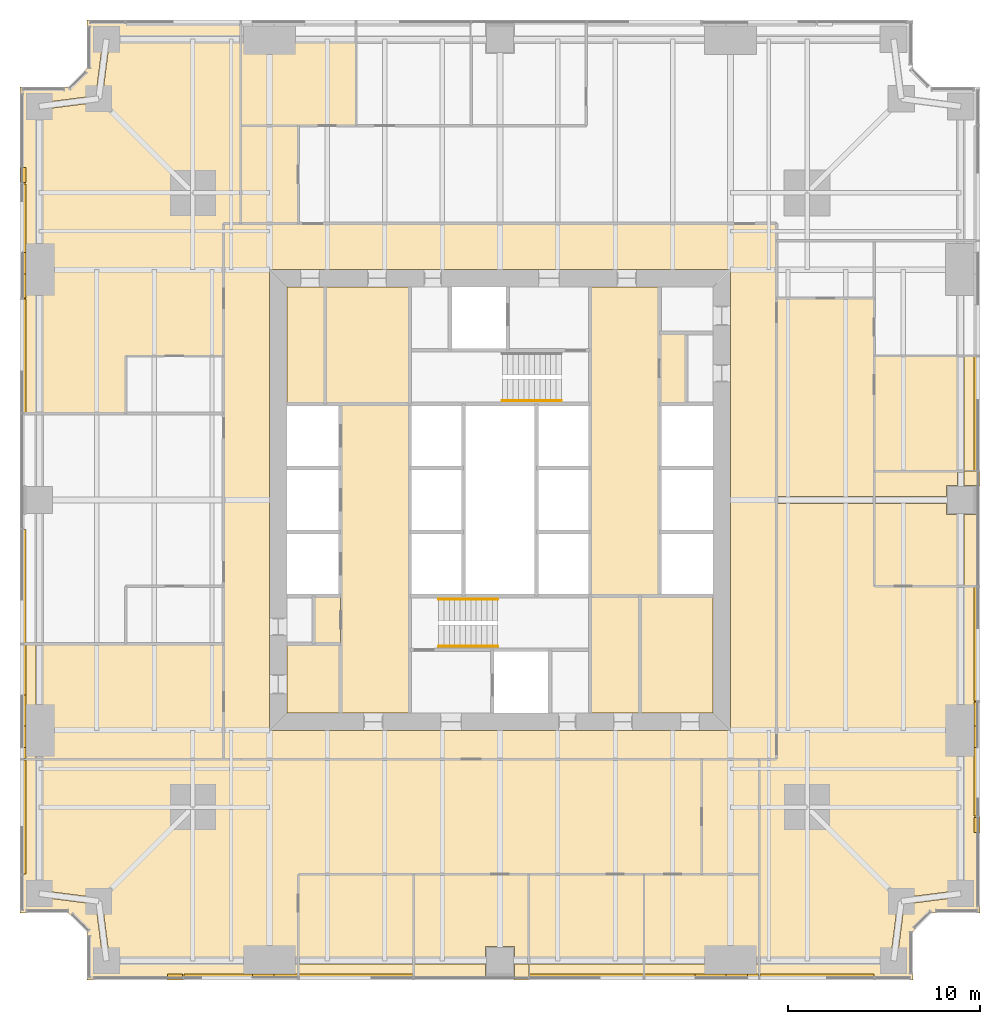
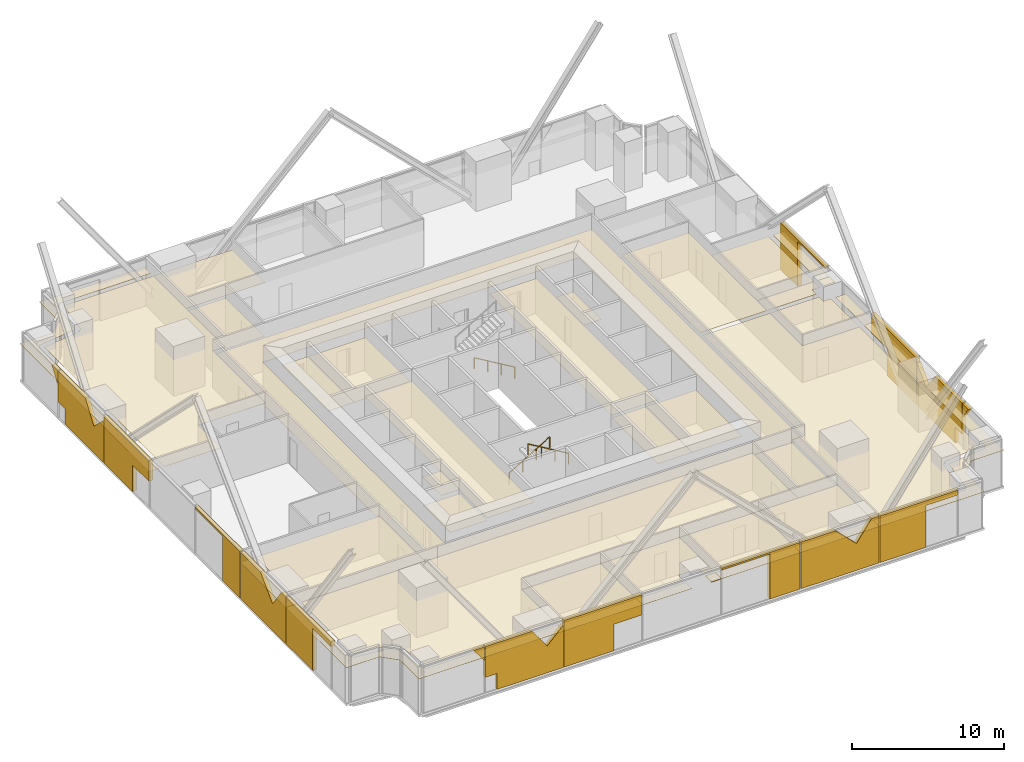
# One storey, part 13 of 14: 53 coverings, 3 railings.
"""IFC4 building model written with IfcOpenShell, lengths in metres."""

from ifc_helpers import new_model, si_unit, direction, frame, origin, origin_2d, place, context, subcontext, project, spatial, polyline, circle, outline, extrude, material, layer, layer_set, type_object, element, save


model = new_model("IFC4")

# Units and contexts
model_context = context("Model", 3, precision=1e-05, world=origin(), true_north=direction((0.0, 1.0)))
body_context = subcontext(model_context, "Body", "Model", "MODEL_VIEW")
ifc_project = project(units=[si_unit("LENGTHUNIT", "METRE"), si_unit("AREAUNIT", "SQUARE_METRE"), si_unit("VOLUMEUNIT", "CUBIC_METRE"), si_unit("PLANEANGLEUNIT", "RADIAN"), si_unit("MASSUNIT", "GRAM", prefix="KILO")], contexts=[model_context])

# Site, building, storey
site_placement = place(None, origin())
site = spatial("IfcSite", under=ifc_project, at=site_placement, CompositionType="ELEMENT")
building_placement = place(site_placement, origin())
building = spatial("IfcBuilding", under=site, at=building_placement, Name="Fenwick Lantern Interchange", CompositionType="ELEMENT")
storey_placement = place(building_placement, frame((0.0, 0.0, 79.0)))
storey = spatial("IfcBuildingStorey", under=building, at=storey_placement, Name="L18", CompositionType="ELEMENT", Elevation=79.0)

# Coverings
ifc_material_1 = material(Name="Mineral fibre acoustic tile on suspended grid")
ifc_layer_1 = layer(ifc_material_1, 0.02001953125)
ifc_layer_set_1 = layer_set([ifc_layer_1], Name="ACOUSTIC TILE CEILING 20")
covering_type_1 = type_object("IfcCoveringType", Name="ACOUSTIC TILE CEILING 20", PredefinedType="CEILING", material=ifc_layer_set_1)
covering_1_placement = place(storey_placement, frame((0.0, 0.0, 2.89990234375)))
element("IfcCovering", 1, at=covering_1_placement, inside=storey, type_object=covering_type_1, Name="Office supplies store ceiling", PredefinedType="CEILING", context=body_context, shape_type="SweptSolid", body=[
    extrude(outline(polyline([(15.300048828125, 17.5), (16.699951171875, 17.5), (16.699951171875, 20.0), (15.300048828125, 20.0), (15.300048828125, 17.5)])), origin(), (0.0, 0.0, 1.0), 0.02001953125),
])
covering_2_placement = place(storey_placement, frame((0.0, 0.0, 2.89990234375)))
element("IfcCovering", 2, at=covering_2_placement, inside=storey, type_object=covering_type_1, Name="Office suite ceiling", PredefinedType="CEILING", context=body_context, shape_type="SweptSolid", body=[
    extrude(outline(polyline([(35.5, 11.5), (1.17236328125, 11.5), (1.17236328125, 4.651611328125), (4.1220703125, 4.27099609375), (4.10009765625, 4.10009765625), (4.27099609375, 4.1220703125), (4.651611328125, 1.17236328125), (13.0, 1.17236328125), (14.5, 1.17236328125), (14.5, 5.5), (35.5, 5.5), (35.5, 11.5)])), origin(), (0.0, 0.0, 1.0), 0.02001953125),
])
covering_3_placement = place(storey_placement, frame((0.0, 0.0, 2.89990234375)))
element("IfcCovering", 3, at=covering_3_placement, inside=storey, type_object=covering_type_1, Name="Office suite ceiling", PredefinedType="CEILING", context=body_context, shape_type="SweptSolid", body=[
    extrude(outline(polyline([(0.0, 11.5), (0.0, 3.5), (2.5, 3.5), (3.5, 2.5), (3.5, 0.0), (14.5, 0.0), (14.5, 0.82763671875), (13.0, 0.82763671875), (4.5, 0.82763671875), (4.5, 1.0), (4.3291015625, 0.97802734375), (3.946044921875, 3.946044921875), (0.97802734375, 4.3291015625), (1.0, 4.5), (0.82763671875, 4.5), (0.82763671875, 11.5), (0.0, 11.5)])), origin(), (0.0, 0.0, 1.0), 0.02001953125),
])
covering_4_placement = place(storey_placement, frame((0.0, 0.0, 2.89990234375)))
element("IfcCovering", 4, at=covering_4_placement, inside=storey, type_object=covering_type_1, Name="Office ceiling", PredefinedType="CEILING", context=body_context, shape_type="SweptSolid", body=[
    extrude(outline(polyline([(14.5, 5.5), (14.5, 1.17236328125), (20.5, 1.17236328125), (20.5, 5.5), (14.5, 5.5)])), origin(), (0.0, 0.0, 1.0), 0.02001953125),
])
covering_5_placement = place(storey_placement, frame((0.0, 0.0, 2.89990234375)))
element("IfcCovering", 5, at=covering_5_placement, inside=storey, type_object=covering_type_1, Name="Office ceiling", PredefinedType="CEILING", context=body_context, shape_type="SweptSolid", body=[
    extrude(outline(polyline([(20.5, 0.0), (20.5, 0.82763671875), (14.5, 0.82763671875), (14.5, 0.0), (20.5, 0.0)])), origin(), (0.0, 0.0, 1.0), 0.02001953125),
])
covering_6_placement = place(storey_placement, frame((0.0, 0.0, 2.89990234375)))
element("IfcCovering", 6, at=covering_6_placement, inside=storey, type_object=covering_type_1, Name="Office ceiling", PredefinedType="CEILING", context=body_context, shape_type="SweptSolid", body=[
    extrude(outline(polyline([(20.5, 5.5), (20.5, 1.17236328125), (24.25, 1.17236328125), (24.25, 1.75), (25.75, 1.75), (25.75, 1.17236328125), (26.5, 1.17236328125), (26.5, 5.5), (20.5, 5.5)])), origin(), (0.0, 0.0, 1.0), 0.02001953125),
])
covering_7_placement = place(storey_placement, frame((0.0, 0.0, 2.89990234375)))
element("IfcCovering", 7, at=covering_7_placement, inside=storey, type_object=covering_type_1, Name="Office ceiling", PredefinedType="CEILING", context=body_context, shape_type="SweptSolid", body=[
    extrude(outline(polyline([(20.5, 0.82763671875), (20.5, 0.0), (24.25, 0.0), (24.25, 0.82763671875), (20.5, 0.82763671875)])), origin(), (0.0, 0.0, 1.0), 0.02001953125),
])
covering_8_placement = place(storey_placement, frame((0.0, 0.0, 2.89990234375)))
element("IfcCovering", 8, at=covering_8_placement, inside=storey, type_object=covering_type_1, Name="Office ceiling", PredefinedType="CEILING", context=body_context, shape_type="SweptSolid", body=[
    extrude(outline(polyline([(26.5, 0.0), (26.5, 0.82763671875), (25.75, 0.82763671875), (25.75, 0.0), (26.5, 0.0)])), origin(), (0.0, 0.0, 1.0), 0.02001953125),
])
covering_9_placement = place(storey_placement, frame((0.0, 0.0, 2.89990234375)))
element("IfcCovering", 9, at=covering_9_placement, inside=storey, type_object=covering_type_1, Name="Office ceiling", PredefinedType="CEILING", context=body_context, shape_type="SweptSolid", body=[
    extrude(outline(polyline([(26.5, 5.5), (26.5, 1.17236328125), (32.5, 1.17236328125), (32.5, 5.5), (26.5, 5.5)])), origin(), (0.0, 0.0, 1.0), 0.02001953125),
])
covering_10_placement = place(storey_placement, frame((0.0, 0.0, 2.89990234375)))
element("IfcCovering", 10, at=covering_10_placement, inside=storey, type_object=covering_type_1, Name="Office ceiling", PredefinedType="CEILING", context=body_context, shape_type="SweptSolid", body=[
    extrude(outline(polyline([(32.5, 0.0), (32.5, 0.82763671875), (26.5, 0.82763671875), (26.5, 0.0), (32.5, 0.0)])), origin(), (0.0, 0.0, 1.0), 0.02001953125),
])
covering_11_placement = place(storey_placement, frame((0.0, 0.0, 2.89990234375)))
element("IfcCovering", 11, at=covering_11_placement, inside=storey, type_object=covering_type_1, Name="Office ceiling", PredefinedType="CEILING", context=body_context, shape_type="SweptSolid", body=[
    extrude(outline(polyline([(32.5, 5.5), (32.5, 1.17236328125), (37.0, 1.17236328125), (38.5, 1.17236328125), (38.5, 5.5), (32.5, 5.5)])), origin(), (0.0, 0.0, 1.0), 0.02001953125),
])
covering_12_placement = place(storey_placement, frame((0.0, 0.0, 2.89990234375)))
element("IfcCovering", 12, at=covering_12_placement, inside=storey, type_object=covering_type_1, Name="Office ceiling", PredefinedType="CEILING", context=body_context, shape_type="SweptSolid", body=[
    extrude(outline(polyline([(38.5, 0.0), (38.5, 0.82763671875), (37.0, 0.82763671875), (32.5, 0.82763671875), (32.5, 0.0), (38.5, 0.0)])), origin(), (0.0, 0.0, 1.0), 0.02001953125),
])
covering_13_placement = place(storey_placement, frame((0.0, 0.0, 2.89990234375)))
element("IfcCovering", 13, at=covering_13_placement, inside=storey, type_object=covering_type_1, Name="Office suite ceiling", PredefinedType="CEILING", context=body_context, shape_type="SweptSolid", body=[
    extrude(outline(polyline([(38.5, 11.5), (38.5, 1.17236328125), (45.348388671875, 1.17236328125), (45.72900390625, 4.1220703125), (45.89990234375, 4.10009765625), (45.8779296875, 4.27099609375), (48.82763671875, 4.651611328125), (48.82763671875, 13.0), (48.82763671875, 20.5), (44.5, 20.5), (44.5, 24.824951171875), (39.39990234375, 24.824951171875), (39.39990234375, 11.5), (38.5, 11.5)])), origin(), (0.0, 0.0, 1.0), 0.02001953125),
])
covering_14_placement = place(storey_placement, frame((0.0, 0.0, 2.89990234375)))
element("IfcCovering", 14, at=covering_14_placement, inside=storey, type_object=covering_type_1, Name="Office suite ceiling", PredefinedType="CEILING", context=body_context, shape_type="SweptSolid", body=[
    extrude(outline(polyline([(39.39990234375, 35.5), (39.39990234375, 25.175048828125), (44.5, 25.175048828125), (44.5, 35.5), (39.39990234375, 35.5)])), origin(), (0.0, 0.0, 1.0), 0.02001953125),
])
covering_15_placement = place(storey_placement, frame((0.0, 0.0, 2.89990234375)))
element("IfcCovering", 15, at=covering_15_placement, inside=storey, type_object=covering_type_1, Name="Office suite ceiling", PredefinedType="CEILING", context=body_context, shape_type="SweptSolid", body=[
    extrude(outline(polyline([(50.0, 3.5), (50.0, 20.5), (49.17236328125, 20.5), (49.17236328125, 13.0), (49.17236328125, 4.5), (49.0, 4.5), (49.02197265625, 4.3291015625), (46.053955078125, 3.946044921875), (45.6708984375, 0.97802734375), (45.5, 1.0), (45.5, 0.82763671875), (38.5, 0.82763671875), (38.5, 0.0), (46.5, 0.0), (46.5, 2.5), (47.5, 3.5), (50.0, 3.5)])), origin(), (0.0, 0.0, 1.0), 0.02001953125),
])
covering_16_placement = place(storey_placement, frame((0.0, 0.0, 2.89990234375)))
element("IfcCovering", 16, at=covering_16_placement, inside=storey, type_object=covering_type_1, Name="Office ceiling", PredefinedType="CEILING", context=body_context, shape_type="SweptSolid", body=[
    extrude(outline(polyline([(44.5, 20.5), (48.82763671875, 20.5), (48.82763671875, 24.25), (48.25, 24.25), (48.25, 24.824951171875), (44.5, 24.824951171875), (44.5, 20.5)])), origin(), (0.0, 0.0, 1.0), 0.02001953125),
])
covering_17_placement = place(storey_placement, frame((0.0, 0.0, 2.89990234375)))
element("IfcCovering", 17, at=covering_17_placement, inside=storey, type_object=covering_type_1, Name="Office ceiling", PredefinedType="CEILING", context=body_context, shape_type="SweptSolid", body=[
    extrude(outline(polyline([(44.5, 26.5), (44.5, 25.175048828125), (48.25, 25.175048828125), (48.25, 25.75), (48.82763671875, 25.75), (48.82763671875, 26.5), (44.5, 26.5)])), origin(), (0.0, 0.0, 1.0), 0.02001953125),
])
covering_18_placement = place(storey_placement, frame((0.0, 0.0, 2.89990234375)))
element("IfcCovering", 18, at=covering_18_placement, inside=storey, type_object=covering_type_1, Name="Office ceiling", PredefinedType="CEILING", context=body_context, shape_type="SweptSolid", body=[
    extrude(outline(polyline([(49.17236328125, 20.5), (50.0, 20.5), (50.0, 24.25), (49.17236328125, 24.25), (49.17236328125, 20.5)])), origin(), (0.0, 0.0, 1.0), 0.02001953125),
])
covering_19_placement = place(storey_placement, frame((0.0, 0.0, 2.89990234375)))
element("IfcCovering", 19, at=covering_19_placement, inside=storey, type_object=covering_type_1, Name="Office ceiling", PredefinedType="CEILING", context=body_context, shape_type="SweptSolid", body=[
    extrude(outline(polyline([(50.0, 26.5), (49.17236328125, 26.5), (49.17236328125, 25.75), (50.0, 25.75), (50.0, 26.5)])), origin(), (0.0, 0.0, 1.0), 0.02001953125),
])
covering_20_placement = place(storey_placement, frame((0.0, 0.0, 2.89990234375)))
element("IfcCovering", 20, at=covering_20_placement, inside=storey, type_object=covering_type_1, Name="Meeting room ceiling", PredefinedType="CEILING", context=body_context, shape_type="SweptSolid", body=[
    extrude(outline(polyline([(44.5, 26.5), (48.82763671875, 26.5), (48.82763671875, 32.5), (44.5, 32.5), (44.5, 26.5)])), origin(), (0.0, 0.0, 1.0), 0.02001953125),
])
covering_21_placement = place(storey_placement, frame((0.0, 0.0, 2.89990234375)))
element("IfcCovering", 21, at=covering_21_placement, inside=storey, type_object=covering_type_1, Name="Meeting room ceiling", PredefinedType="CEILING", context=body_context, shape_type="SweptSolid", body=[
    extrude(outline(polyline([(50.0, 32.5), (49.17236328125, 32.5), (49.17236328125, 26.5), (50.0, 26.5), (50.0, 32.5)])), origin(), (0.0, 0.0, 1.0), 0.02001953125),
])
covering_22_placement = place(storey_placement, frame((0.0, 0.0, 2.89990234375)))
element("IfcCovering", 22, at=covering_22_placement, inside=storey, type_object=covering_type_1, Name="Office ceiling", PredefinedType="CEILING", context=body_context, shape_type="SweptSolid", body=[
    extrude(outline(polyline([(17.5, 44.5), (17.5, 48.82763671875), (13.0, 48.82763671875), (11.5, 48.82763671875), (11.5, 44.5), (17.5, 44.5)])), origin(), (0.0, 0.0, 1.0), 0.02001953125),
])
covering_23_placement = place(storey_placement, frame((0.0, 0.0, 2.89990234375)))
element("IfcCovering", 23, at=covering_23_placement, inside=storey, type_object=covering_type_1, Name="Office suite ceiling", PredefinedType="CEILING", context=body_context, shape_type="SweptSolid", body=[
    extrude(outline(polyline([(1.17236328125, 29.5), (5.5, 29.5), (5.5, 32.5), (10.60009765625, 32.5), (10.60009765625, 39.39990234375), (11.5, 39.39990234375), (11.5, 48.82763671875), (4.651611328125, 48.82763671875), (4.27099609375, 45.8779296875), (4.10009765625, 45.89990234375), (4.1220703125, 45.72900390625), (1.17236328125, 45.348388671875), (1.17236328125, 37.0), (1.17236328125, 29.5)])), origin(), (0.0, 0.0, 1.0), 0.02001953125),
])
covering_24_placement = place(storey_placement, frame((0.0, 0.0, 2.89990234375)))
element("IfcCovering", 24, at=covering_24_placement, inside=storey, type_object=covering_type_1, Name="Office suite ceiling", PredefinedType="CEILING", context=body_context, shape_type="SweptSolid", body=[
    extrude(outline(polyline([(0.0, 29.5), (0.82763671875, 29.5), (0.82763671875, 37.0), (0.82763671875, 45.5), (1.0, 45.5), (0.97802734375, 45.6708984375), (3.946044921875, 46.053955078125), (4.3291015625, 49.02197265625), (4.5, 49.0), (4.5, 49.17236328125), (11.5, 49.17236328125), (11.5, 50.0), (3.5, 50.0), (3.5, 47.5), (2.5, 46.5), (0.0, 46.5), (0.0, 29.5)])), origin(), (0.0, 0.0, 1.0), 0.02001953125),
])
covering_25_placement = place(storey_placement, frame((0.0, 0.0, 2.89990234375)))
element("IfcCovering", 25, at=covering_25_placement, inside=storey, type_object=covering_type_1, Name="Office suite ceiling", PredefinedType="CEILING", context=body_context, shape_type="SweptSolid", body=[
    extrude(outline(polyline([(10.60009765625, 17.5), (1.17236328125, 17.5), (1.17236328125, 13.0), (1.17236328125, 11.5), (10.60009765625, 11.5), (10.60009765625, 17.5)])), origin(), (0.0, 0.0, 1.0), 0.02001953125),
])
covering_26_placement = place(storey_placement, frame((0.0, 0.0, 2.89990234375)))
element("IfcCovering", 26, at=covering_26_placement, inside=storey, type_object=covering_type_1, Name="Office suite ceiling", PredefinedType="CEILING", context=body_context, shape_type="SweptSolid", body=[
    extrude(outline(polyline([(0.0, 17.5), (0.0, 11.5), (0.82763671875, 11.5), (0.82763671875, 13.0), (0.82763671875, 17.5), (0.0, 17.5)])), origin(), (0.0, 0.0, 1.0), 0.02001953125),
])
ifc_material_2 = material(Name="Granite cladding, warm grey flamed finish, on aluminium carrier frame", Category="masonry")
ifc_layer_2 = layer(ifc_material_2, 0.300048828125)
ifc_layer_set_2 = layer_set([ifc_layer_2], Name="BRACE CASING PANEL 300")
covering_type_2 = type_object("IfcCoveringType", Name="BRACE CASING PANEL 300", PredefinedType="CLADDING", material=ifc_layer_set_2)
covering_27_placement = place(storey_placement, frame((3.60009765625, 0.10009765625, 2.63720703125), z_axis=(0.0, 0.0, 1.0), x_axis=(1.0, 0.0, 0.0)))
element("IfcCovering", 27, at=covering_27_placement, inside=storey, type_object=covering_type_2, Name="Brace casing 01 bay 00a", PredefinedType="CLADDING", context=body_context, shape_type="SweptSolid", body=[
    extrude(outline(polyline([(4.867431640625, 0.0), (4.867431640625, 1.11279296875), (4.07177734375, 1.11279296875), (4.867431640625, 0.0)])), frame((0.0, 0.2001953125, 0.0), z_axis=(0.0, -1.0, 0.0), x_axis=(1.0, 0.0, 0.0)), (0.0, 0.0, 1.0), 0.300048828125),
])
covering_28_placement = place(storey_placement, frame((3.60009765625, 0.10009765625, 0.0), z_axis=(0.0, 0.0, 1.0), x_axis=(1.0, 0.0, 0.0)))
element("IfcCovering", 28, at=covering_28_placement, inside=storey, type_object=covering_type_2, Name="Brace casing 01 bay 01a", PredefinedType="CLADDING", context=body_context, shape_type="SweptSolid", body=[
    extrude(outline(polyline([(5.842529296875, 0.0), (10.867431640625, 0.0), (10.867431640625, 3.380859375), (9.634765625, 2.159912109375), (8.49755859375, 3.75), (4.9326171875, 3.75), (4.9326171875, 1.27392578125), (5.842529296875, 1.27392578125), (5.842529296875, 0.0)])), frame((0.0, 0.2001953125, 0.0), z_axis=(0.0, -1.0, 0.0), x_axis=(1.0, 0.0, 0.0)), (0.0, 0.0, 1.0), 0.300048828125),
])
covering_29_placement = place(storey_placement, frame((3.60009765625, 0.10009765625, 0.0), z_axis=(0.0, 0.0, 1.0), x_axis=(1.0, 0.0, 0.0)))
element("IfcCovering", 29, at=covering_29_placement, inside=storey, type_object=covering_type_2, Name="Brace casing 01 bay 02a", PredefinedType="CLADDING", context=body_context, shape_type="SweptSolid", body=[
    extrude(outline(polyline([(10.9326171875, 0.0), (14.7197265625, 0.0), (14.7197265625, 2.12939453125), (16.867431640625, 2.12939453125), (16.867431640625, 3.75), (10.9326171875, 3.75), (10.9326171875, 0.0)])), frame((0.0, 0.2001953125, 0.0), z_axis=(0.0, -1.0, 0.0), x_axis=(1.0, 0.0, 0.0)), (0.0, 0.0, 1.0), 0.300048828125),
])
covering_30_placement = place(storey_placement, frame((3.60009765625, 0.10009765625, 0.0), z_axis=(0.0, 0.0, 1.0), x_axis=(1.0, 0.0, 0.0)))
element("IfcCovering", 30, at=covering_30_placement, inside=storey, type_object=covering_type_2, Name="Brace casing 01 bay 04a", PredefinedType="CLADDING", context=body_context, shape_type="SweptSolid", body=[
    extrude(outline(polyline([(26.58251953125, 0.0), (28.867431640625, 0.0), (28.867431640625, 3.75), (22.9326171875, 3.75), (22.9326171875, 3.61279296875), (26.58251953125, 3.61279296875), (26.58251953125, 0.0)])), frame((0.0, 0.2001953125, 0.0), z_axis=(0.0, -1.0, 0.0), x_axis=(1.0, 0.0, 0.0)), (0.0, 0.0, 1.0), 0.300048828125),
])
covering_31_placement = place(storey_placement, frame((3.60009765625, 0.10009765625, 0.0), z_axis=(0.0, 0.0, 1.0), x_axis=(1.0, 0.0, 0.0)))
element("IfcCovering", 31, at=covering_31_placement, inside=storey, type_object=covering_type_2, Name="Brace casing 01 bay 05a", PredefinedType="CLADDING", context=body_context, shape_type="SweptSolid", body=[
    extrude(outline(polyline([(28.9326171875, 0.0), (34.867431640625, 0.0), (34.867431640625, 3.75), (34.302490234375, 3.75), (33.165283203125, 2.159912109375), (31.559814453125, 3.75), (28.9326171875, 3.75), (28.9326171875, 0.0)])), frame((0.0, 0.2001953125, 0.0), z_axis=(0.0, -1.0, 0.0), x_axis=(1.0, 0.0, 0.0)), (0.0, 0.0, 1.0), 0.300048828125),
])
covering_32_placement = place(storey_placement, frame((3.60009765625, 0.10009765625, 0.0), z_axis=(0.0, 0.0, 1.0), x_axis=(1.0, 0.0, 0.0)))
element("IfcCovering", 32, at=covering_32_placement, inside=storey, type_object=covering_type_2, Name="Brace casing 01 bay 06a", PredefinedType="CLADDING", context=body_context, shape_type="SweptSolid", body=[
    extrude(outline(polyline([(34.9326171875, 0.0), (38.456298828125, 0.0), (38.456298828125, 3.369873046875), (40.867431640625, 3.369873046875), (40.867431640625, 3.75), (34.9326171875, 3.75), (34.9326171875, 0.0)])), frame((0.0, 0.2001953125, 0.0), z_axis=(0.0, -1.0, 0.0), x_axis=(1.0, 0.0, 0.0)), (0.0, 0.0, 1.0), 0.300048828125),
])
covering_33_placement = place(storey_placement, frame((49.89990234375, 3.60009765625, 2.63720703125), z_axis=(0.0, 0.0, 1.0), x_axis=(0.0, 1.0, 0.0)))
element("IfcCovering", 33, at=covering_33_placement, inside=storey, type_object=covering_type_2, Name="Brace casing 05 bay 00a", PredefinedType="CLADDING", context=body_context, shape_type="SweptSolid", body=[
    extrude(outline(polyline([(4.867431640625, 0.0), (4.867431640625, 1.11279296875), (4.07177734375, 1.11279296875), (4.867431640625, 0.0)])), frame((0.0, 0.2001953125, 0.0), z_axis=(0.0, -1.0, 0.0), x_axis=(1.0, 0.0, 0.0)), (0.0, 0.0, 1.0), 0.300048828125),
])
covering_34_placement = place(storey_placement, frame((49.89990234375, 3.60009765625, 0.0), z_axis=(0.0, 0.0, 1.0), x_axis=(0.0, 1.0, 0.0)))
element("IfcCovering", 34, at=covering_34_placement, inside=storey, type_object=covering_type_2, Name="Brace casing 05 bay 01a", PredefinedType="CLADDING", context=body_context, shape_type="SweptSolid", body=[
    extrude(outline(polyline([(5.842529296875, 0.0), (10.867431640625, 0.0), (10.867431640625, 3.380859375), (9.634765625, 2.159912109375), (8.49755859375, 3.75), (4.9326171875, 3.75), (4.9326171875, 1.27392578125), (5.842529296875, 1.27392578125), (5.842529296875, 0.0)])), frame((0.0, 0.2001953125, 0.0), z_axis=(0.0, -1.0, 0.0), x_axis=(1.0, 0.0, 0.0)), (0.0, 0.0, 1.0), 0.300048828125),
])
covering_35_placement = place(storey_placement, frame((49.89990234375, 3.60009765625, 0.0), z_axis=(0.0, 0.0, 1.0), x_axis=(0.0, 1.0, 0.0)))
element("IfcCovering", 35, at=covering_35_placement, inside=storey, type_object=covering_type_2, Name="Brace casing 05 bay 02a", PredefinedType="CLADDING", context=body_context, shape_type="SweptSolid", body=[
    extrude(outline(polyline([(10.9326171875, 0.0), (14.7197265625, 0.0), (14.7197265625, 2.12939453125), (16.867431640625, 2.12939453125), (16.867431640625, 3.75), (10.9326171875, 3.75), (10.9326171875, 0.0)])), frame((0.0, 0.2001953125, 0.0), z_axis=(0.0, -1.0, 0.0), x_axis=(1.0, 0.0, 0.0)), (0.0, 0.0, 1.0), 0.300048828125),
])
covering_36_placement = place(storey_placement, frame((49.89990234375, 3.60009765625, 0.0), z_axis=(0.0, 0.0, 1.0), x_axis=(0.0, 1.0, 0.0)))
element("IfcCovering", 36, at=covering_36_placement, inside=storey, type_object=covering_type_2, Name="Brace casing 05 bay 04a", PredefinedType="CLADDING", context=body_context, shape_type="SweptSolid", body=[
    extrude(outline(polyline([(26.58251953125, 0.0), (28.867431640625, 0.0), (28.867431640625, 3.75), (22.9326171875, 3.75), (22.9326171875, 3.61279296875), (26.58251953125, 3.61279296875), (26.58251953125, 0.0)])), frame((0.0, 0.2001953125, 0.0), z_axis=(0.0, -1.0, 0.0), x_axis=(1.0, 0.0, 0.0)), (0.0, 0.0, 1.0), 0.300048828125),
])
covering_37_placement = place(storey_placement, frame((0.10009765625, 46.39990234375, 2.63720703125), z_axis=(0.0, 0.0, 1.0), x_axis=(0.0, -1.0, 0.0)))
element("IfcCovering", 37, at=covering_37_placement, inside=storey, type_object=covering_type_2, Name="Brace casing 13 bay 00a", PredefinedType="CLADDING", context=body_context, shape_type="SweptSolid", body=[
    extrude(outline(polyline([(4.867431640625, 0.0), (4.867431640625, 1.11279296875), (4.07177734375, 1.11279296875), (4.867431640625, 0.0)])), frame((0.0, 0.2001953125, 0.0), z_axis=(0.0, -1.0, 0.0), x_axis=(1.0, 0.0, 0.0)), (0.0, 0.0, 1.0), 0.300048828125),
])
covering_38_placement = place(storey_placement, frame((0.10009765625, 46.39990234375, 0.0), z_axis=(0.0, 0.0, 1.0), x_axis=(0.0, -1.0, 0.0)))
element("IfcCovering", 38, at=covering_38_placement, inside=storey, type_object=covering_type_2, Name="Brace casing 13 bay 01a", PredefinedType="CLADDING", context=body_context, shape_type="SweptSolid", body=[
    extrude(outline(polyline([(5.842529296875, 0.0), (10.867431640625, 0.0), (10.867431640625, 3.380859375), (9.634765625, 2.159912109375), (8.49755859375, 3.75), (4.9326171875, 3.75), (4.9326171875, 1.27392578125), (5.842529296875, 1.27392578125), (5.842529296875, 0.0)])), frame((0.0, 0.2001953125, 0.0), z_axis=(0.0, -1.0, 0.0), x_axis=(1.0, 0.0, 0.0)), (0.0, 0.0, 1.0), 0.300048828125),
])
covering_39_placement = place(storey_placement, frame((0.10009765625, 46.39990234375, 0.0), z_axis=(0.0, 0.0, 1.0), x_axis=(0.0, -1.0, 0.0)))
element("IfcCovering", 39, at=covering_39_placement, inside=storey, type_object=covering_type_2, Name="Brace casing 13 bay 02a", PredefinedType="CLADDING", context=body_context, shape_type="SweptSolid", body=[
    extrude(outline(polyline([(10.9326171875, 0.0), (14.7197265625, 0.0), (14.7197265625, 2.12939453125), (16.867431640625, 2.12939453125), (16.867431640625, 3.75), (10.9326171875, 3.75), (10.9326171875, 0.0)])), frame((0.0, 0.2001953125, 0.0), z_axis=(0.0, -1.0, 0.0), x_axis=(1.0, 0.0, 0.0)), (0.0, 0.0, 1.0), 0.300048828125),
])
covering_40_placement = place(storey_placement, frame((0.10009765625, 46.39990234375, 0.0), z_axis=(0.0, 0.0, 1.0), x_axis=(0.0, -1.0, 0.0)))
element("IfcCovering", 40, at=covering_40_placement, inside=storey, type_object=covering_type_2, Name="Brace casing 13 bay 04a", PredefinedType="CLADDING", context=body_context, shape_type="SweptSolid", body=[
    extrude(outline(polyline([(26.58251953125, 0.0), (28.867431640625, 0.0), (28.867431640625, 3.75), (22.9326171875, 3.75), (22.9326171875, 3.61279296875), (26.58251953125, 3.61279296875), (26.58251953125, 0.0)])), frame((0.0, 0.2001953125, 0.0), z_axis=(0.0, -1.0, 0.0), x_axis=(1.0, 0.0, 0.0)), (0.0, 0.0, 1.0), 0.300048828125),
])
covering_41_placement = place(storey_placement, frame((0.10009765625, 46.39990234375, 0.0), z_axis=(0.0, 0.0, 1.0), x_axis=(0.0, -1.0, 0.0)))
element("IfcCovering", 41, at=covering_41_placement, inside=storey, type_object=covering_type_2, Name="Brace casing 13 bay 05a", PredefinedType="CLADDING", context=body_context, shape_type="SweptSolid", body=[
    extrude(outline(polyline([(28.9326171875, 0.0), (34.867431640625, 0.0), (34.867431640625, 3.75), (34.302490234375, 3.75), (33.165283203125, 2.159912109375), (31.559814453125, 3.75), (28.9326171875, 3.75), (28.9326171875, 0.0)])), frame((0.0, 0.2001953125, 0.0), z_axis=(0.0, -1.0, 0.0), x_axis=(1.0, 0.0, 0.0)), (0.0, 0.0, 1.0), 0.300048828125),
])
covering_42_placement = place(storey_placement, frame((0.10009765625, 46.39990234375, 0.0), z_axis=(0.0, 0.0, 1.0), x_axis=(0.0, -1.0, 0.0)))
element("IfcCovering", 42, at=covering_42_placement, inside=storey, type_object=covering_type_2, Name="Brace casing 13 bay 06a", PredefinedType="CLADDING", context=body_context, shape_type="SweptSolid", body=[
    extrude(outline(polyline([(34.9326171875, 0.0), (38.456298828125, 0.0), (38.456298828125, 3.369873046875), (40.867431640625, 3.369873046875), (40.867431640625, 3.75), (34.9326171875, 3.75), (34.9326171875, 0.0)])), frame((0.0, 0.2001953125, 0.0), z_axis=(0.0, -1.0, 0.0), x_axis=(1.0, 0.0, 0.0)), (0.0, 0.0, 1.0), 0.300048828125),
])

# Railings
ifc_material_3 = material(Name="Stainless steel handrail", Category="steel")
railing_type = type_object("IfcRailingType", Name="HANDRAIL 900", PredefinedType="HANDRAIL", material=ifc_material_3)
railing_placement = place(storey_placement, frame((21.800048828125, 19.825927734375, 0.166748046875)))
element("IfcRailing", 43, at=railing_placement, inside=storey, type_object=railing_type, Name="L18/STAIR/ST1/HR1", PredefinedType="HANDRAIL", context=body_context, shape_type="SweptSolid", body=[
    extrude(circle(Radius=0.02392578125, at=origin_2d()), frame((0.0, 0.0, 0.8759765625), z_axis=(0.859290745958, 0.0, 0.51148745235), x_axis=(0.0, 1.0, 0.0)), (0.0, 0.0, 1.0), 3.584228515625),
    extrude(circle(Radius=0.02099609375, at=origin_2d()), origin(), (0.0, 0.0, 1.0), 0.851806640625),
    extrude(circle(Radius=0.02099609375, at=origin_2d()), frame((1.026611328125, 0.0, 0.611083984375)), (0.0, 0.0, 1.0), 0.851806640625),
    extrude(circle(Radius=0.02099609375, at=origin_2d()), frame((2.05322265625, 0.0, 1.22216796875)), (0.0, 0.0, 1.0), 0.851806640625),
    extrude(circle(Radius=0.02099609375, at=origin_2d()), frame((3.079833984375, 0.0, 1.833251953125)), (0.0, 0.0, 1.0), 0.851806640625),
])
for number, where, name in (
    (44, (24.8798828125, 17.3740234375, 2.166748046875), "L18/STAIR/ST1/HR2"),
    (45, (28.199951171875, 30.174072265625, 0.166748046875), "L18/STAIR/ST2/HR1"),
):
    element("IfcRailing", number, at=place(storey_placement, frame(where)), inside=storey, type_object=railing_type, Name=name, PredefinedType="HANDRAIL", context=body_context, shape_type="SweptSolid", body=[
        extrude(circle(Radius=0.02392578125, at=origin_2d()), frame((0.0, 0.0, 0.8759765625), z_axis=(-0.859290745958, 0.0, 0.51148745235), x_axis=(0.0, -1.0, 0.0)), (0.0, 0.0, 1.0), 3.584228515625),
        extrude(circle(Radius=0.02099609375, at=origin_2d()), origin(), (0.0, 0.0, 1.0), 0.851806640625),
        extrude(circle(Radius=0.02099609375, at=origin_2d()), frame((-1.026611328125, 0.0, 0.611083984375)), (0.0, 0.0, 1.0), 0.851806640625),
        extrude(circle(Radius=0.02099609375, at=origin_2d()), frame((-2.05322265625, 0.0, 1.22216796875)), (0.0, 0.0, 1.0), 0.851806640625),
        extrude(circle(Radius=0.02099609375, at=origin_2d()), frame((-3.079833984375, 0.0, 1.833251953125)), (0.0, 0.0, 1.0), 0.851806640625),
    ])

# Coverings
ifc_material_4 = material(Name="Moisture resistant gypsum board on suspended frame, painted")
ifc_layer_3 = layer(ifc_material_4, 0.014892578125)
ifc_layer_set_3 = layer_set([ifc_layer_3], Name="MOISTURE RESISTANT CEILING 15")
covering_type_3 = type_object("IfcCoveringType", Name="MOISTURE RESISTANT CEILING 15", PredefinedType="CEILING", material=ifc_layer_set_3)
covering_43_placement = place(storey_placement, frame((0.0, 0.0, 2.60009765625)))
element("IfcCovering", 46, at=covering_43_placement, inside=storey, type_object=covering_type_3, Name="Men's WC ceiling", PredefinedType="CEILING", context=body_context, shape_type="SweptSolid", body=[
    extrude(outline(polyline([(29.699951171875, 13.89990234375), (32.300048828125, 13.89990234375), (32.300048828125, 20.0), (29.699951171875, 20.0), (29.699951171875, 13.89990234375)])), origin(), (0.0, 0.0, 1.0), 0.014892578125),
])
covering_44_placement = place(storey_placement, frame((0.0, 0.0, 2.60009765625)))
element("IfcCovering", 47, at=covering_44_placement, inside=storey, type_object=covering_type_3, Name="Women's WC ceiling", PredefinedType="CEILING", context=body_context, shape_type="SweptSolid", body=[
    extrude(outline(polyline([(32.300048828125, 13.89990234375), (36.10009765625, 13.89990234375), (36.10009765625, 20.0), (32.300048828125, 20.0), (32.300048828125, 13.89990234375)])), origin(), (0.0, 0.0, 1.0), 0.014892578125),
])
covering_45_placement = place(storey_placement, frame((0.0, 0.0, 2.60009765625)))
element("IfcCovering", 48, at=covering_45_placement, inside=storey, type_object=covering_type_3, Name="Accessible WC and shower ceiling", PredefinedType="CEILING", context=body_context, shape_type="SweptSolid", body=[
    extrude(outline(polyline([(13.89990234375, 13.89990234375), (16.699951171875, 13.89990234375), (16.699951171875, 17.5), (13.89990234375, 17.5), (13.89990234375, 13.89990234375)])), origin(), (0.0, 0.0, 1.0), 0.014892578125),
])
covering_46_placement = place(storey_placement, frame((0.0, 0.0, 2.60009765625)))
element("IfcCovering", 49, at=covering_46_placement, inside=storey, type_object=covering_type_3, Name="Women's WC ceiling", PredefinedType="CEILING", context=body_context, shape_type="SweptSolid", body=[
    extrude(outline(polyline([(20.300048828125, 36.10009765625), (15.89990234375, 36.10009765625), (15.89990234375, 30.0), (20.300048828125, 30.0), (20.300048828125, 36.10009765625)])), origin(), (0.0, 0.0, 1.0), 0.014892578125),
])
covering_47_placement = place(storey_placement, frame((0.0, 0.0, 2.60009765625)))
element("IfcCovering", 50, at=covering_47_placement, inside=storey, type_object=covering_type_3, Name="Men's WC ceiling", PredefinedType="CEILING", context=body_context, shape_type="SweptSolid", body=[
    extrude(outline(polyline([(15.89990234375, 36.10009765625), (13.89990234375, 36.10009765625), (13.89990234375, 30.0), (15.89990234375, 30.0), (15.89990234375, 36.10009765625)])), origin(), (0.0, 0.0, 1.0), 0.014892578125),
])
covering_48_placement = place(storey_placement, frame((0.0, 0.0, 2.699951171875)))
element("IfcCovering", 51, at=covering_48_placement, inside=storey, type_object=covering_type_3, Name="Pantry store ceiling", PredefinedType="CEILING", context=body_context, shape_type="SweptSolid", body=[
    extrude(outline(polyline([(34.699951171875, 33.699951171875), (33.300048828125, 33.699951171875), (33.300048828125, 30.0), (34.699951171875, 30.0), (34.699951171875, 33.699951171875)])), origin(), (0.0, 0.0, 1.0), 0.01513671875),
])
covering_49_placement = place(storey_placement, frame((0.0, 0.0, 2.699951171875)))
element("IfcCovering", 52, at=covering_49_placement, inside=storey, type_object=covering_type_3, Name="Pantry ceiling", PredefinedType="CEILING", context=body_context, shape_type="SweptSolid", body=[
    extrude(outline(polyline([(35.5, 5.5), (38.5, 5.5), (38.5, 11.5), (35.5, 11.5), (35.5, 5.5)])), origin(), (0.0, 0.0, 1.0), 0.01513671875),
])
covering_50_placement = place(storey_placement, frame((0.0, 0.0, 2.699951171875)))
element("IfcCovering", 53, at=covering_50_placement, inside=storey, type_object=covering_type_3, Name="Pantry ceiling", PredefinedType="CEILING", context=body_context, shape_type="SweptSolid", body=[
    extrude(outline(polyline([(14.5, 44.5), (11.5, 44.5), (11.5, 39.39990234375), (14.5, 39.39990234375), (14.5, 44.5)])), origin(), (0.0, 0.0, 1.0), 0.01513671875),
])
ifc_material_5 = material(Name="Gypsum plasterboard on suspended frame, painted")
ifc_layer_4 = layer(ifc_material_5, 0.014892578125)
ifc_layer_set_4 = layer_set([ifc_layer_4], Name="PLASTERBOARD CEILING 15")
covering_type_4 = type_object("IfcCoveringType", Name="PLASTERBOARD CEILING 15", PredefinedType="CEILING", material=ifc_layer_set_4)
covering_51_placement = place(storey_placement, frame((0.0, 0.0, 2.800048828125)))
element("IfcCovering", 54, at=covering_51_placement, inside=storey, type_object=covering_type_4, Name="Lift lobby ceiling", PredefinedType="CEILING", context=body_context, shape_type="SweptSolid", body=[
    extrude(outline(polyline([(16.699951171875, 13.89990234375), (20.300048828125, 13.89990234375), (20.300048828125, 30.0), (16.699951171875, 30.0), (16.699951171875, 13.89990234375)])), origin(), (0.0, 0.0, 1.0), 0.014892578125),
])
covering_52_placement = place(storey_placement, frame((0.0, 0.0, 2.800048828125)))
element("IfcCovering", 55, at=covering_52_placement, inside=storey, type_object=covering_type_4, Name="Lift lobby ceiling", PredefinedType="CEILING", context=body_context, shape_type="SweptSolid", body=[
    extrude(outline(polyline([(33.300048828125, 36.10009765625), (29.699951171875, 36.10009765625), (29.699951171875, 20.0), (33.300048828125, 20.0), (33.300048828125, 36.10009765625)])), origin(), (0.0, 0.0, 1.0), 0.014892578125),
])
covering_53_placement = place(storey_placement, frame((0.0, 0.0, 2.60009765625)))
element("IfcCovering", 56, at=covering_53_placement, inside=storey, type_object=covering_type_4, Name="Corridor ceiling", PredefinedType="CEILING", context=body_context, shape_type="SweptSolid", body=[
    extrude(outline(polyline([(10.60009765625, 11.5), (39.39990234375, 11.5), (39.39990234375, 39.39990234375), (10.60009765625, 39.39990234375), (10.60009765625, 11.5)]), holes=[polyline([(13.0, 13.0), (13.0, 37.0), (37.0, 37.0), (37.0, 13.0), (13.0, 13.0)])]), origin(), (0.0, 0.0, 1.0), 0.014892578125),
])

save(model, "model.ifc")
